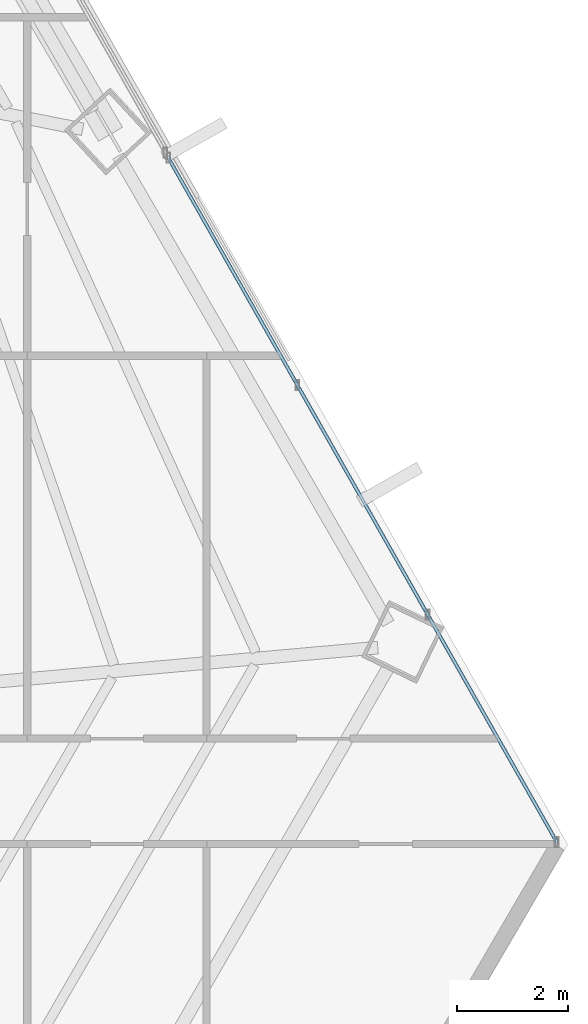
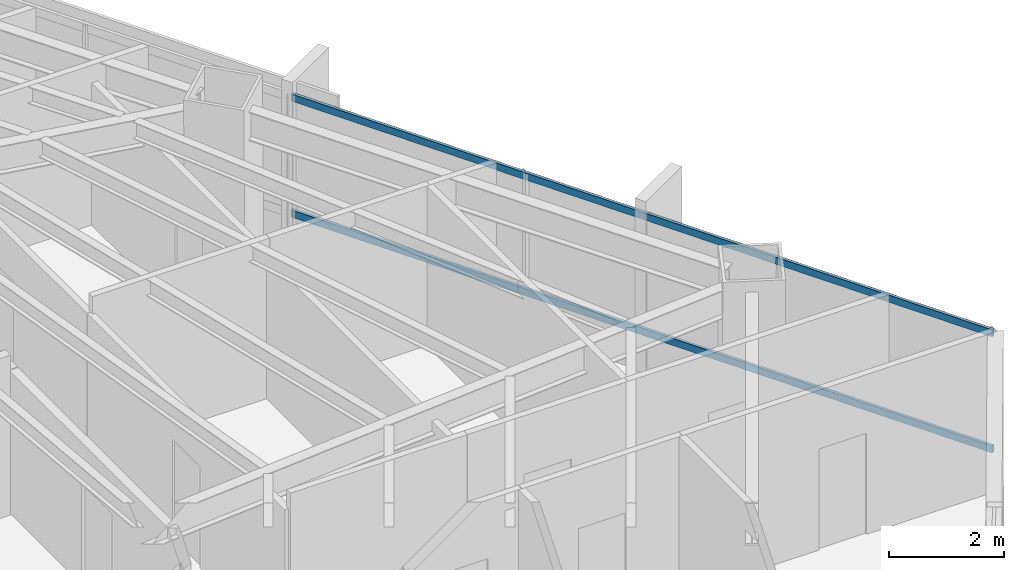
# One storey, part 22 of 35: 2 members, 1 element without a shape of its own.
"""IFC4 building model written with IfcOpenShell, lengths in metres."""

import ifcopenshell
import ifcopenshell.guid

model = None  # the IFC model being written
_history = None  # IfcOwnerHistory: only IFC2X3 demands one
_inside = {}  # id of a spatial element -> (the spatial element, [elements in it])
_under = {}  # id of a project, library or spatial element -> (it, [spatial elements below it])
_declared = {}  # id of a project -> (the project, [libraries it declares])
_typed = {}  # id of a type object -> (the type object, [elements of that type])
_made_of = {}  # id of a material, layer set ... -> (it, [elements and type objects made of it])


def new_model(schema):
    """Start an empty IFC model of exactly this schema.

    Asked for "IFC4X3", IfcOpenShell would pick the latest addendum, in which some entities
    have other attributes; the version numbers below select the first issue.
    IFC2X3 requires an IfcOwnerHistory on every rooted entity: one is made here for all.
    """
    global model, _history
    if schema == "IFC4X3":
        model = ifcopenshell.file(schema_version=(4, 3, 0, 0))
    else:
        model = ifcopenshell.file(schema=schema)
    _inside.clear()
    _under.clear()
    _declared.clear()
    _typed.clear()
    _made_of.clear()
    _history = None
    if model.schema == "IFC2X3":
        org = make("IfcOrganization", Name="unknown")
        user = make(
            "IfcPersonAndOrganization",
            ThePerson=make("IfcPerson", FamilyName="unknown"),
            TheOrganization=org,
        )
        app = make(
            "IfcApplication",
            ApplicationDeveloper=org,
            Version="unknown",
            ApplicationFullName="unknown",
            ApplicationIdentifier="unknown",
        )
        _history = make(
            "IfcOwnerHistory",
            OwningUser=user,
            OwningApplication=app,
            ChangeAction="ADDED",
            CreationDate=0,
        )
    return model


def make(cls, **values):
    """One entity of the class cls with the attributes given. An attribute that is None is left unset."""
    return model.create_entity(
        cls, **{name: value for name, value in values.items() if value is not None}
    )


def rooted(cls, **values):
    """An entity with a GlobalId (a new one), such as an element, a storey or a relation."""
    return make(cls, GlobalId=ifcopenshell.guid.new(), OwnerHistory=_history, **values)


def si_unit(unit_type, name, prefix=None):
    """IfcSIUnit, for example si_unit("LENGTHUNIT", "METRE", prefix="MILLI")."""
    return make("IfcSIUnit", UnitType=unit_type, Prefix=prefix, Name=name)


def assignment(units):
    """IfcUnitAssignment: the units of a project."""
    return None if units is None else make("IfcUnitAssignment", Units=units)


def point(xyz):
    """IfcCartesianPoint."""
    return None if xyz is None else make("IfcCartesianPoint", Coordinates=xyz)


def direction(xyz):
    """IfcDirection."""
    return None if xyz is None else make("IfcDirection", DirectionRatios=xyz)


def frame(location, z_axis=None, x_axis=None):
    """IfcAxis2Placement3D, a coordinate frame: its origin and axes. An axis left out is left unset."""
    return make(
        "IfcAxis2Placement3D",
        Location=point(location),
        Axis=direction(z_axis),
        RefDirection=direction(x_axis),
    )


def frame_2d(location, x_axis=None):
    """IfcAxis2Placement2D, a coordinate frame in the plane: its origin and x axis."""
    return make(
        "IfcAxis2Placement2D", Location=point(location), RefDirection=direction(x_axis)
    )


def origin():
    """The frame at (0, 0, 0) with its axes left unset."""
    return frame((0.0, 0.0, 0.0))


def origin_2d():
    """The frame at (0, 0) in the plane with its x axis left unset."""
    return frame_2d((0.0, 0.0))


def place(relative_to, where):
    """IfcLocalPlacement: puts the frame where relative to a parent placement (None: the world)."""
    return make(
        "IfcLocalPlacement", PlacementRelTo=relative_to, RelativePlacement=where
    )


def context(
    kind, dimensions, precision=None, world=None, true_north=None, identifier=None
):
    """IfcGeometricRepresentationContext, for example the 3D "Model" context."""
    return make(
        "IfcGeometricRepresentationContext",
        ContextIdentifier=identifier,
        ContextType=kind,
        CoordinateSpaceDimension=dimensions,
        Precision=precision,
        WorldCoordinateSystem=world,
        TrueNorth=true_north,
    )


def subcontext(parent, identifier, kind, view, scale=None):
    """IfcGeometricRepresentationSubContext, for example "Body" below "Model"."""
    return make(
        "IfcGeometricRepresentationSubContext",
        ContextIdentifier=identifier,
        ContextType=kind,
        ParentContext=parent,
        TargetScale=scale,
        TargetView=view,
    )


def project(units=None, contexts=None):
    """IfcProject with its units and contexts."""
    return rooted(
        "IfcProject",
        Name="project",
        RepresentationContexts=contexts,
        UnitsInContext=assignment(units),
    )


def spatial(cls, under=None, at=None, **own):
    """A site, building, storey or space (cls), placed at a placement, below another one or the project."""
    s = rooted(cls, ObjectPlacement=at, **own)
    if under is not None:
        _under.setdefault(under.id(), (under, []))[1].append(s)
    return s


def profile(cls, at=None, kind="AREA", **sizes):
    """A parametric profile (cls). Its sizes go by their IFC names, for example OverallWidth=200.0."""
    return make(cls, ProfileType=kind, Position=at, **sizes)


def hollow_rectangle(**sizes):
    """IfcRectangleHollowProfileDef."""
    return profile("IfcRectangleHollowProfileDef", **sizes)


def extrude(swept, where, along, depth):
    """IfcExtrudedAreaSolid: the profile swept, set in the frame where, extruded along a direction by depth."""
    return make(
        "IfcExtrudedAreaSolid",
        SweptArea=swept,
        Position=where,
        ExtrudedDirection=direction(along),
        Depth=depth,
    )


def shape(context_of_items, identifier, shape_type, items):
    """IfcShapeRepresentation: the items that make up one representation, for example the "Body"."""
    return make(
        "IfcShapeRepresentation",
        ContextOfItems=context_of_items,
        RepresentationIdentifier=identifier,
        RepresentationType=shape_type,
        Items=items,
    )


def source(mapping_origin, context_of_items, identifier, shape_type, items):
    """IfcRepresentationMap: a shape defined once, which mapped items show again and again."""
    return make(
        "IfcRepresentationMap",
        MappingOrigin=mapping_origin,
        MappedRepresentation=shape(context_of_items, identifier, shape_type, items),
    )


def transform(
    local_origin,
    x_axis=None,
    y_axis=None,
    z_axis=None,
    scale=None,
    scale2=None,
    scale3=None,
    uniform=True,
):
    """IfcCartesianTransformationOperator3D, or its non-uniform kind. x_axis, y_axis, z_axis: its Axis1, 2, 3."""
    if uniform:
        return make(
            "IfcCartesianTransformationOperator3D",
            Axis1=direction(x_axis),
            Axis2=direction(y_axis),
            LocalOrigin=point(local_origin),
            Scale=scale,
            Axis3=direction(z_axis),
        )
    return make(
        "IfcCartesianTransformationOperator3DnonUniform",
        Axis1=direction(x_axis),
        Axis2=direction(y_axis),
        LocalOrigin=point(local_origin),
        Scale=scale,
        Axis3=direction(z_axis),
        Scale2=scale2,
        Scale3=scale3,
    )


def mapped(mapping_source, mapping_target):
    """IfcMappedItem: shows the shape of a source again, moved by a transform."""
    return make(
        "IfcMappedItem", MappingSource=mapping_source, MappingTarget=mapping_target
    )


def material(Name=None, Category=None):
    """IfcMaterial."""
    return make("IfcMaterial", Name=Name, Category=Category)


def material_profile(
    of_material, cross_section, Name=None, Category=None, Priority=None
):
    """IfcMaterialProfile: a cross section and its material."""
    return make(
        "IfcMaterialProfile",
        Name=Name,
        Material=of_material,
        Profile=cross_section,
        Priority=Priority,
        Category=Category,
    )


def profile_set(profiles, Name=None, composite=None):
    """IfcMaterialProfileSet."""
    return make(
        "IfcMaterialProfileSet",
        Name=Name,
        MaterialProfiles=profiles,
        CompositeProfile=composite,
    )


def made_of(thing, what):
    """Note that an element or type object is made of a material, layer set ...; save() writes the relation."""
    if what is not None:
        _made_of.setdefault(what.id(), (what, []))[1].append(thing)
    return thing


def type_object(cls, material=None, **own):
    """A type object (cls), such as IfcWallType, which elements share."""
    return made_of(rooted(cls, **own), material)


def type_shapes(of_type, sources):
    """Give a type object the sources (RepresentationMaps) that its elements show as mapped items."""
    of_type.RepresentationMaps = sources


def element(
    cls,
    number,
    at=None,
    inside=None,
    cuts=None,
    type_object=None,
    material=None,
    context=None,
    identifier="Body",
    shape_type=None,
    held_by="IfcProductDefinitionShape",
    body=None,
    shapes=None,
    **own,
):
    """One element of the class cls, such as IfcWall. Its Tag is "e" and its number.

    at: its placement. inside: the storey or other place that contains it. cuts: it is an
    opening in that element (IfcRelVoidsElement). A single representation is given by context,
    identifier, shape_type and body (its items); several are given by shapes. held_by: the class
    of the entity that holds the representations. save() writes the other relations.
    """
    e = rooted(cls, Tag="e%d" % number, ObjectPlacement=at, **own)
    if body is not None:
        shapes = [shape(context, identifier, shape_type, body)]
    if shapes is not None:
        e.Representation = make(held_by, Representations=shapes)
    if inside is not None:
        _inside.setdefault(inside.id(), (inside, []))[1].append(e)
    if cuts is not None:
        rooted(
            "IfcRelVoidsElement", RelatingBuildingElement=cuts, RelatedOpeningElement=e
        )
    if type_object is not None:
        _typed.setdefault(type_object.id(), (type_object, []))[1].append(e)
    return made_of(e, material)


def aggregate(whole, parts):
    """IfcRelAggregates: a whole, such as a stair, and the parts it consists of."""
    return rooted("IfcRelAggregates", RelatingObject=whole, RelatedObjects=parts)


def save(model, path):
    """Write the relations noted so far, then the file.

    IfcRelAggregates (storeys below a building ...), IfcRelContainedInSpatialStructure (elements
    in a storey), IfcRelDefinesByType, IfcRelAssociatesMaterial and IfcRelDeclares: one each for
    every whole, place, type object, material and project.
    """
    for whole, parts in _under.values():
        aggregate(whole, parts)
    for where, things in _inside.values():
        rooted(
            "IfcRelContainedInSpatialStructure",
            RelatedElements=things,
            RelatingStructure=where,
        )
    for kind, things in _typed.values():
        rooted("IfcRelDefinesByType", RelatedObjects=things, RelatingType=kind)
    for what, things in _made_of.values():
        rooted("IfcRelAssociatesMaterial", RelatedObjects=things, RelatingMaterial=what)
    for by, libraries in _declared.values():
        rooted("IfcRelDeclares", RelatingContext=by, RelatedDefinitions=libraries)
    model.write(path)


model = new_model("IFC4")

# Units and contexts
model_context = context("Model", 3, precision=1e-05, world=origin(), true_north=direction((0.0, 1.0)))
body_context = subcontext(model_context, "Body", "Model", "MODEL_VIEW")
ifc_project = project(units=[si_unit("LENGTHUNIT", "METRE"), si_unit("AREAUNIT", "SQUARE_METRE"), si_unit("VOLUMEUNIT", "CUBIC_METRE"), si_unit("PLANEANGLEUNIT", "RADIAN"), si_unit("MASSUNIT", "GRAM", prefix="KILO")], contexts=[model_context])

# Site, building, storey
site_placement = place(None, origin())
site = spatial("IfcSite", under=ifc_project, at=site_placement, CompositionType="ELEMENT")
building_placement = place(site_placement, origin())
building = spatial("IfcBuilding", under=site, at=building_placement, Name="Caelisora Broadcast Tower", CompositionType="ELEMENT")
storey_placement = place(building_placement, frame((0.0, 0.0, 123.64990234375)))
storey = spatial("IfcBuildingStorey", under=building, at=storey_placement, Name="L32", CompositionType="ELEMENT", Elevation=123.64990234375)

# Curtain wall, members
ifc_material_1 = material(Name="Unitised Aluminium and Low-E Glass Curtain Wall", Category="glass")
curtain_wall_type = type_object("IfcCurtainWallType", Name="CW-Z2", PredefinedType="NOTDEFINED", material=ifc_material_1)
curtain_wall_placement = place(storey_placement, origin())
curtain_wall = element("IfcCurtainWall", 1, at=curtain_wall_placement, inside=storey, type_object=curtain_wall_type, Name="L32 curtain wall CW-Z2", PredefinedType="NOTDEFINED")
ifc_material_2 = material(Name="Aluminium 6063-T6 Anodised Terracotta Bronze", Category="aluminium")
ifc_material_profile = material_profile(ifc_material_2, hollow_rectangle(XDim=0.06005859375, YDim=0.14990234375, WallThickness=0.00341796875, at=origin_2d()), Name="Aluminium 6063-T6 Anodised Terracotta Bronze")
ifc_profile_set = profile_set([ifc_material_profile], Name="Aluminium 6063-T6 Anodised Terracotta Bronze")
member_type = type_object("IfcMemberType", Name="CWT-02", PredefinedType="USERDEFINED", material=ifc_profile_set)
shared_shape = source(origin(), body_context, "Body", "SweptSolid", [
    extrude(hollow_rectangle(XDim=0.06005859375, YDim=0.14990234375, WallThickness=0.00341796875, at=origin_2d()), origin(), (0.0, 0.0, 1.0), 14.177001953125),
])
type_shapes(member_type, [shared_shape])
member_1_placement = place(storey_placement, frame((56.713134765625, 27.5654296875, 0.85009765625), z_axis=(0.493701971708, -0.869631164996, 0.0), x_axis=(0.869631164996, 0.493701971708, 0.0)))
member_1 = element("IfcMember", 2, at=member_1_placement, type_object=member_type, Name="L32-CW-B03 transom #1", ObjectType="TRANSOM", PredefinedType="USERDEFINED", context=body_context, shape_type="MappedRepresentation", body=[
    mapped(shared_shape, transform((0.0, 0.0, 0.0), scale=1.0)),
])
member_2_placement = place(storey_placement, frame((56.713134765625, 27.5654296875, 3.320068359375), z_axis=(0.493701971708, -0.869631164996, 0.0), x_axis=(0.869631164996, 0.493701971708, 0.0)))
member_2 = element("IfcMember", 3, at=member_2_placement, type_object=member_type, Name="L32-CW-B03 transom #2", ObjectType="TRANSOM", PredefinedType="USERDEFINED", context=body_context, shape_type="MappedRepresentation", body=[
    mapped(shared_shape, transform((0.0, 0.0, 0.0), scale=1.0)),
])
aggregate(curtain_wall, [member_1, member_2])

save(model, "model.ifc")
